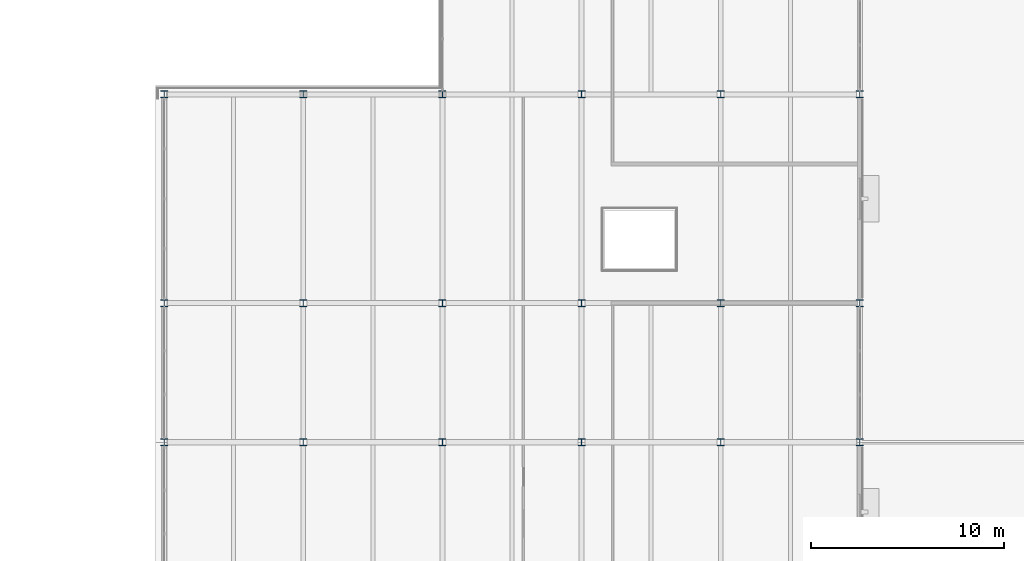
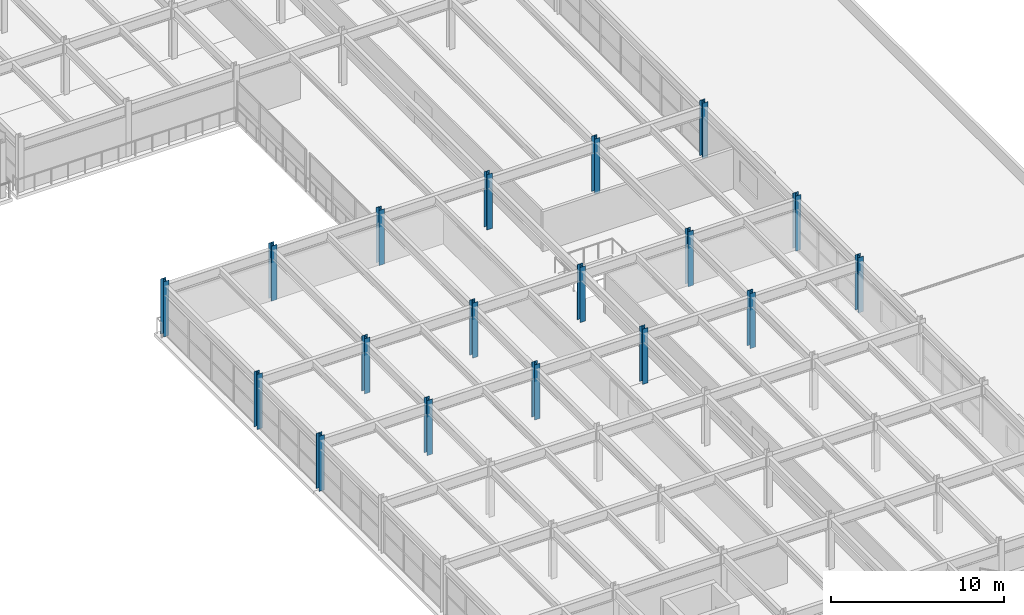
# One storey, part 11 of 80: 18 columns.
"""IFC4 building model written with IfcOpenShell, lengths in metres."""

from ifc_helpers import new_model, si_unit, direction, frame, origin, origin_2d, place, context, subcontext, project, spatial, i_section, extrude, material, material_profile, profile_set, type_object, element, save


model = new_model("IFC4")

# Units and contexts
model_context = context("Model", 3, precision=1e-05, world=origin(), true_north=direction((0.0, 1.0)))
body_context = subcontext(model_context, "Body", "Model", "MODEL_VIEW")
ifc_project = project(units=[si_unit("LENGTHUNIT", "METRE"), si_unit("AREAUNIT", "SQUARE_METRE"), si_unit("VOLUMEUNIT", "CUBIC_METRE"), si_unit("PLANEANGLEUNIT", "RADIAN"), si_unit("MASSUNIT", "GRAM", prefix="KILO")], contexts=[model_context])

# Site, building, storey
site_placement = place(None, origin())
site = spatial("IfcSite", under=ifc_project, at=site_placement, CompositionType="ELEMENT")
building_placement = place(site_placement, origin())
building = spatial("IfcBuilding", under=site, at=building_placement, Name="Vaelcorin Mobility Hub", CompositionType="ELEMENT")
storey_placement = place(building_placement, frame((0.0, 0.0, 9.300048828125)))
storey = spatial("IfcBuildingStorey", under=building, at=storey_placement, Name="L02", CompositionType="ELEMENT", Elevation=9.300048828125)

# Columns
ifc_material = material(Name="Steel ASTM A992 Grade 50", Category="steel")
ifc_material_profile = material_profile(ifc_material, i_section(OverallWidth=0.367919921875, OverallDepth=0.35595703125, WebThickness=0.01123046875, FlangeThickness=0.01806640625, FilletRadius=0.014892578125, at=origin_2d()), Name="W14X90")
ifc_profile_set = profile_set([ifc_material_profile], Name="Steel ASTM A992 Grade 50")
column_type = type_object("IfcColumnType", Name="COL-W14X90", PredefinedType="COLUMN", material=ifc_profile_set)
for number, where, z_axis, x_axis, name in (
    (1, (153.60009765625, 42.0, 0.0), (0.0, 0.0, 1.0), (1.0, 0.0, 0.0), "Column V5-X01Y06 L02"),
    (2, (153.60009765625, 49.199951171875, 0.0), (0.0, 0.0, 1.0), (1.0, 0.0, 0.0), "Column V5-X01Y07 L02"),
    (3, (153.60009765625, 60.0, 0.0), (0.0, 0.0, 1.0), (1.0, 0.0, 0.0), "Column V5-X01Y08 L02"),
    (4, (160.800048828125, 42.0, 0.0), (0.0, 0.0, 1.0), (1.0, 0.0, 0.0), "Column V5-X02Y06 L02"),
    (5, (160.800048828125, 49.199951171875, 0.0), (0.0, 0.0, 1.0), (1.0, 0.0, 0.0), "Column V5-X02Y07 L02"),
    (6, (160.800048828125, 60.0, 0.0), (0.0, 0.0, 1.0), (1.0, 0.0, 0.0), "Column V5-X02Y08 L02"),
    (7, (168.0, 42.0, 0.0), (0.0, 0.0, 1.0), (1.0, 0.0, 0.0), "Column V5-X03Y06 L02"),
    (8, (168.0, 49.199951171875, 0.0), (0.0, 0.0, 1.0), (1.0, 0.0, 0.0), "Column V5-X03Y07 L02"),
    (9, (168.0, 60.0, 0.0), (0.0, 0.0, 1.0), (1.0, 0.0, 0.0), "Column V5-X03Y08 L02"),
    (10, (175.199951171875, 42.0, 0.0), (0.0, 0.0, 1.0), (1.0, 0.0, 0.0), "Column V5-X04Y06 L02"),
    (11, (175.199951171875, 49.199951171875, 0.0), (0.0, 0.0, 1.0), (1.0, 0.0, 0.0), "Column V5-X04Y07 L02"),
    (12, (175.199951171875, 60.0, 0.0), (0.0, 0.0, 1.0), (1.0, 0.0, 0.0), "Column V5-X04Y08 L02"),
    (13, (182.39990234375, 42.0, 0.0), (0.0, 0.0, 1.0), (1.0, 0.0, 0.0), "Column V5-X05Y06 L02"),
    (14, (182.39990234375, 49.199951171875, 0.0), (0.0, 0.0, 1.0), (1.0, 0.0, 0.0), "Column V5-X05Y07 L02"),
    (15, (182.39990234375, 60.0, 0.0), (0.0, 0.0, 1.0), (1.0, 0.0, 0.0), "Column V5-X05Y08 L02"),
    (16, (189.60009765625, 42.0, 0.0), (0.0, 0.0, 1.0), (1.0, 0.0, 0.0), "Column V5-X06Y06 L02"),
    (17, (189.60009765625, 49.199951171875, 0.0), (0.0, 0.0, 1.0), (1.0, 0.0, 0.0), "Column V5-X06Y07 L02"),
    (18, (189.60009765625, 60.0, 0.0), (0.0, 0.0, 1.0), (1.0, 0.0, 0.0), "Column V5-X06Y08 L02"),
):
    element("IfcColumn", number, at=place(storey_placement, frame(where, z_axis=z_axis, x_axis=x_axis)), inside=storey, type_object=column_type, Name=name, PredefinedType="COLUMN", context=body_context, shape_type="SweptSolid", body=[
        extrude(i_section(OverallWidth=0.367919921875, OverallDepth=0.35595703125, WebThickness=0.01123046875, FlangeThickness=0.01806640625, FilletRadius=0.014892578125, at=origin_2d()), origin(), (0.0, 0.0, 1.0), 3.89990234375),
    ])

save(model, "model.ifc")
